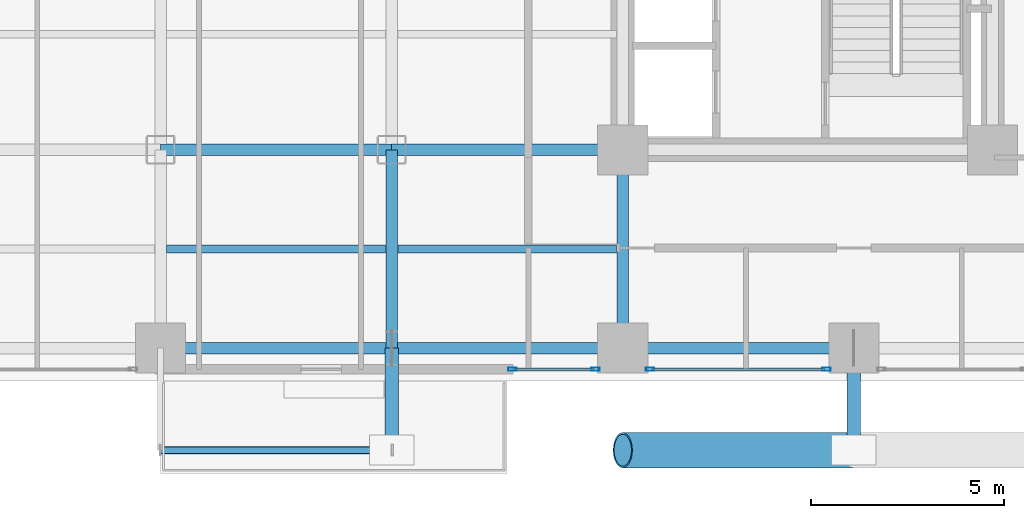
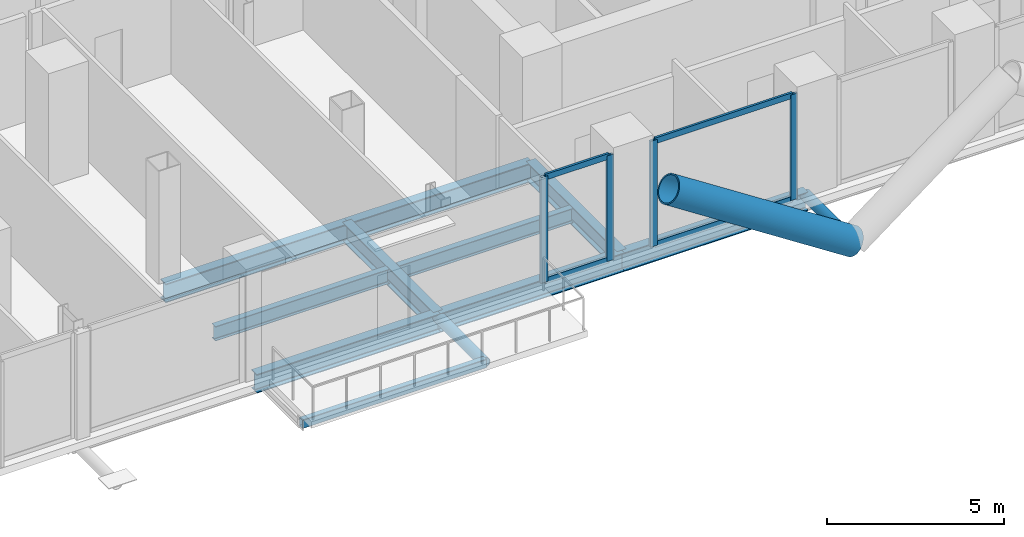
# One storey, part 3 of 25: 11 members, 10 beams, 2 elements without a shape of their own.
"""IFC4 building model written with IfcOpenShell, lengths in metres."""

from ifc_helpers import new_model, si_unit, direction, frame, origin, origin_2d, place, context, subcontext, project, spatial, hollow_rectangle, hollow_circle, i_section, extrude, material, layer, layer_set, material_profile, profile_set, type_object, element, aggregate, save


model = new_model("IFC4")

# Units and contexts
model_context = context("Model", 3, precision=1e-05, world=origin(), true_north=direction((0.0, 1.0)))
body_context = subcontext(model_context, "Body", "Model", "MODEL_VIEW")
ifc_project = project(units=[si_unit("LENGTHUNIT", "METRE"), si_unit("AREAUNIT", "SQUARE_METRE"), si_unit("VOLUMEUNIT", "CUBIC_METRE"), si_unit("PLANEANGLEUNIT", "RADIAN"), si_unit("MASSUNIT", "GRAM", prefix="KILO"), si_unit("THERMODYNAMICTEMPERATUREUNIT", "KELVIN"), si_unit("POWERUNIT", "WATT")], contexts=[model_context])

# Site, building, storey
site_placement = place(None, origin())
site = spatial("IfcSite", under=ifc_project, at=site_placement, CompositionType="ELEMENT")
building_placement = place(site_placement, origin())
building = spatial("IfcBuilding", under=site, at=building_placement, Name="Svarakhadi Broadcast Tower", CompositionType="ELEMENT")
storey_placement = place(building_placement, frame((0.0, 0.0, 48.0)))
storey = spatial("IfcBuildingStorey", under=building, at=storey_placement, Name="L10", CompositionType="ELEMENT", Elevation=48.0)

# Beams
ifc_material_1 = material(Name="Steel S355J2 (IS 2062 E350C)", Category="steel")
ifc_material_profile_1 = material_profile(ifc_material_1, i_section(OverallWidth=0.199951171875, OverallDepth=0.5, WebThickness=0.01025390625, FlangeThickness=0.01611328125, FilletRadius=0.02099609375, at=origin_2d()), Name="NPB 500x200x91")
ifc_profile_set_1 = profile_set([ifc_material_profile_1], Name="Steel S355J2 (IS 2062 E350C)")
beam_type_1 = type_object("IfcBeamType", Name="Beam_NPB500", PredefinedType="BEAM", material=ifc_profile_set_1)
for number, where, z_axis, x_axis, name in (
    (1, (12.159912109375, 3.425048828125, -0.5), (1.0, 0.0, 0.0), (0.0, 1.0, 0.0), "L10 Secondary Composite Beam SB013"),
    (2, (18.159912109375, 3.425048828125, -0.5), (1.0, 0.0, 0.0), (0.0, 1.0, 0.0), "L10 Secondary Composite Beam SB019"),
):
    element("IfcBeam", number, at=place(storey_placement, frame(where, z_axis=z_axis, x_axis=x_axis)), inside=storey, type_object=beam_type_1, Name=name, PredefinedType="BEAM", context=body_context, shape_type="SweptSolid", body=[
        extrude(i_section(OverallWidth=0.199951171875, OverallDepth=0.5, WebThickness=0.01025390625, FlangeThickness=0.01611328125, FilletRadius=0.02099609375, at=origin_2d()), origin(), (0.0, 0.0, 1.0), 5.68017578125),
    ])

# Curtain wall, members
ifc_material_2 = material(Name="Anodised Bronze Aluminium AA 6063-T6", Category="aluminium")
ifc_layer = layer(ifc_material_2, 0.219970703125)
ifc_layer_set = layer_set([ifc_layer], Name="Anodised Bronze Aluminium AA 6063-T6")
curtain_wall_type = type_object("IfcCurtainWallType", Name="CW_Sys_02", PredefinedType="NOTDEFINED", material=ifc_layer_set)
curtain_wall_1_placement = place(storey_placement, origin())
curtain_wall_1 = element("IfcCurtainWall", 3, at=curtain_wall_1_placement, inside=storey, type_object=curtain_wall_type, Name="L10 South Curtain Wall 16 Bay 5", PredefinedType="NOTDEFINED")
ifc_material_profile_2 = material_profile(ifc_material_2, hollow_rectangle(XDim=0.0849609375, YDim=0.219970703125, WallThickness=0.006103515625, at=origin_2d()), Name="ALU MULLION 220x85x6")
ifc_profile_set_2 = profile_set([ifc_material_profile_2], Name="Anodised Bronze Aluminium AA 6063-T6")
member_type_1 = type_object("IfcMemberType", Name="CW_Sys_02_Mul", PredefinedType="MULLION", material=ifc_profile_set_2)
member_1_placement = place(storey_placement, frame((29.28759765625, 0.300048828125, 0.0), z_axis=(0.0, 0.0, 1.0), x_axis=(0.0, -1.0, 0.0)))
member_1 = element("IfcMember", 4, at=member_1_placement, type_object=member_type_1, Name="CW-02 mullion 1", PredefinedType="MULLION", context=body_context, shape_type="SweptSolid", body=[
    extrude(hollow_rectangle(XDim=0.0849609375, YDim=0.219970703125, WallThickness=0.006103515625, at=origin_2d()), origin(), (0.0, 0.0, 1.0), 3.64990234375),
])
member_2_placement = place(storey_placement, frame((24.71240234375, 0.300048828125, 0.0), z_axis=(0.0, 0.0, 1.0), x_axis=(0.0, -1.0, 0.0)))
member_2 = element("IfcMember", 5, at=member_2_placement, type_object=member_type_1, Name="CW-02 mullion 2", PredefinedType="MULLION", context=body_context, shape_type="SweptSolid", body=[
    extrude(hollow_rectangle(XDim=0.0849609375, YDim=0.219970703125, WallThickness=0.006103515625, at=origin_2d()), origin(), (0.0, 0.0, 1.0), 3.64990234375),
])

curtain_wall_2_placement = place(storey_placement, origin())
curtain_wall_2 = element("IfcCurtainWall", 6, at=curtain_wall_2_placement, inside=storey, type_object=curtain_wall_type, Name="L10 South Curtain Wall 16 Bay 6", PredefinedType="NOTDEFINED")
member_3_placement = place(storey_placement, frame((23.28759765625, 0.300048828125, 0.0), z_axis=(0.0, 0.0, 1.0), x_axis=(0.0, -1.0, 0.0)))
member_3 = element("IfcMember", 7, at=member_3_placement, type_object=member_type_1, Name="CW-02 mullion 1", PredefinedType="MULLION", context=body_context, shape_type="SweptSolid", body=[
    extrude(hollow_rectangle(XDim=0.0849609375, YDim=0.219970703125, WallThickness=0.006103515625, at=origin_2d()), origin(), (0.0, 0.0, 1.0), 3.64990234375),
])
member_4_placement = place(storey_placement, frame((21.132568359375, 0.300048828125, 0.0), z_axis=(0.0, 0.0, 1.0), x_axis=(0.0, -1.0, 0.0)))
member_4 = element("IfcMember", 8, at=member_4_placement, type_object=member_type_1, Name="CW-02 mullion 2", PredefinedType="MULLION", context=body_context, shape_type="SweptSolid", body=[
    extrude(hollow_rectangle(XDim=0.0849609375, YDim=0.219970703125, WallThickness=0.006103515625, at=origin_2d()), origin(), (0.0, 0.0, 1.0), 3.64990234375),
])

# Member
ifc_material_profile_3 = material_profile(ifc_material_2, hollow_rectangle(XDim=0.074951171875, YDim=0.199951171875, WallThickness=0.0048828125, at=origin_2d()), Name="ALU TRANSOM 200x75x5")
ifc_profile_set_3 = profile_set([ifc_material_profile_3], Name="Anodised Bronze Aluminium AA 6063-T6")
member_type_2 = type_object("IfcMemberType", Name="CW_Sys_02_Trn", PredefinedType="USERDEFINED", material=ifc_profile_set_3)
member_5_placement = place(storey_placement, frame((29.2451171875, 0.300048828125, 0.03759765625), z_axis=(-1.0, 0.0, 0.0), x_axis=(0.0, -1.0, 0.0)))
member_5 = element("IfcMember", 9, at=member_5_placement, type_object=member_type_2, Name="CW-02 transom 1.1", ObjectType="TRANSOM", PredefinedType="USERDEFINED", context=body_context, shape_type="SweptSolid", body=[
    extrude(hollow_rectangle(XDim=0.074951171875, YDim=0.199951171875, WallThickness=0.0048828125, at=origin_2d()), origin(), (0.0, 0.0, 1.0), 4.490234375),
])

member_6_placement = place(storey_placement, frame((29.2451171875, 0.300048828125, 3.612548828125), z_axis=(-1.0, 0.0, 0.0), x_axis=(0.0, -1.0, 0.0)))
member_6 = element("IfcMember", 10, at=member_6_placement, type_object=member_type_2, Name="CW-02 transom 1.2", ObjectType="TRANSOM", PredefinedType="USERDEFINED", context=body_context, shape_type="SweptSolid", body=[
    extrude(hollow_rectangle(XDim=0.074951171875, YDim=0.199951171875, WallThickness=0.0048828125, at=origin_2d()), origin(), (0.0, 0.0, 1.0), 4.490234375),
])

aggregate(curtain_wall_1, [member_1, member_2, member_5, member_6])

member_7_placement = place(storey_placement, frame((23.2451171875, 0.300048828125, 0.03759765625), z_axis=(-1.0, 0.0, 0.0), x_axis=(0.0, -1.0, 0.0)))
member_7 = element("IfcMember", 11, at=member_7_placement, type_object=member_type_2, Name="CW-02 transom 1.1", ObjectType="TRANSOM", PredefinedType="USERDEFINED", context=body_context, shape_type="SweptSolid", body=[
    extrude(hollow_rectangle(XDim=0.074951171875, YDim=0.199951171875, WallThickness=0.0048828125, at=origin_2d()), origin(), (0.0, 0.0, 1.0), 2.070068359375),
])

member_8_placement = place(storey_placement, frame((23.2451171875, 0.300048828125, 3.612548828125), z_axis=(-1.0, 0.0, 0.0), x_axis=(0.0, -1.0, 0.0)))
member_8 = element("IfcMember", 12, at=member_8_placement, type_object=member_type_2, Name="CW-02 transom 1.2", ObjectType="TRANSOM", PredefinedType="USERDEFINED", context=body_context, shape_type="SweptSolid", body=[
    extrude(hollow_rectangle(XDim=0.074951171875, YDim=0.199951171875, WallThickness=0.0048828125, at=origin_2d()), origin(), (0.0, 0.0, 1.0), 2.070068359375),
])

aggregate(curtain_wall_2, [member_3, member_4, member_7, member_8])

# Members
ifc_material_3 = material(Name="Steel S460ML (IS 2062 E450BR)", Category="steel")
ifc_material_profile_4 = material_profile(ifc_material_3, hollow_circle(Radius=0.45703125, WallThickness=0.044921875, at=origin_2d()), Name="CHS 914x45")
ifc_profile_set_4 = profile_set([ifc_material_profile_4], Name="Steel S460ML (IS 2062 E450BR)")
member_type_3 = type_object("IfcMemberType", Name="Exo_Brace_CHS914", PredefinedType="BRACE", material=ifc_profile_set_4)
member_9_placement = place(storey_placement, frame((30.0, -1.800048828125, -0.427734375), z_axis=(-0.838449851971, 0.0, 0.544978757136), x_axis=(0.0, -1.0, 0.0)))
element("IfcMember", 13, at=member_9_placement, inside=storey, type_object=member_type_3, Name="L10 Exposed Bronze Exoskeleton Diagonal S01", PredefinedType="BRACE", context=body_context, shape_type="SweptSolid", body=[
    extrude(hollow_circle(Radius=0.45703125, WallThickness=0.044921875, at=origin_2d()), origin(), (0.0, 0.0, 1.0), 7.156005859375),
])
ifc_material_profile_5 = material_profile(ifc_material_3, hollow_circle(Radius=0.177734375, WallThickness=0.02001953125, at=origin_2d()), Name="CHS 355.6x20")
ifc_profile_set_5 = profile_set([ifc_material_profile_5], Name="Steel S460ML (IS 2062 E450BR)")
member_type_4 = type_object("IfcMemberType", Name="Exo_Radial_Strut_Z1", PredefinedType="STRUT", material=ifc_profile_set_5)
for number, where, z_axis, x_axis, name in (
    (14, (18.0, -1.800048828125, -0.427734375), (0.0, 1.0, 0.0), (-1.0, 0.0, 0.0), "L10 Exoskeleton Radial Tie Strut S02"),
    (15, (30.0, -1.800048828125, -0.427734375), (0.0, 1.0, 0.0), (-1.0, 0.0, 0.0), "L10 Exoskeleton Radial Tie Strut S03"),
):
    element("IfcMember", number, at=place(storey_placement, frame(where, z_axis=z_axis, x_axis=x_axis)), inside=storey, type_object=member_type_4, Name=name, PredefinedType="STRUT", context=body_context, shape_type="SweptSolid", body=[
        extrude(hollow_circle(Radius=0.177734375, WallThickness=0.02001953125, at=origin_2d()), origin(), (0.0, 0.0, 1.0), 2.650146484375),
    ])

# Beams
ifc_material_profile_6 = material_profile(ifc_material_1, i_section(OverallWidth=0.300048828125, OverallDepth=0.64990234375, WebThickness=0.01611328125, FlangeThickness=0.031005859375, FilletRadius=0.027099609375, at=origin_2d()), Name="WPB 650x300x225")
ifc_profile_set_6 = profile_set([ifc_material_profile_6], Name="Steel S355J2 (IS 2062 E350C)")
beam_type_2 = type_object("IfcBeamType", Name="Girder_WPB650", PredefinedType="USERDEFINED", material=ifc_profile_set_6)
for number, where, z_axis, x_axis, name in (
    (16, (12.0, 0.85009765625, -0.574951171875), (1.0, 0.0, 0.0), (0.0, 1.0, 0.0), "L10 Primary E-W Girder G005"),
    (17, (18.0, 0.85009765625, -0.574951171875), (1.0, 0.0, 0.0), (0.0, 1.0, 0.0), "L10 Primary E-W Girder G006"),
    (18, (24.0, 0.85009765625, -0.574951171875), (1.0, 0.0, 0.0), (0.0, 1.0, 0.0), "L10 Primary E-W Girder G007"),
    (19, (12.0, 6.0, -0.574951171875), (1.0, 0.0, 0.0), (0.0, 1.0, 0.0), "L10 Primary E-W Girder G013"),
    (20, (18.0, 6.0, -0.574951171875), (1.0, 0.0, 0.0), (0.0, 1.0, 0.0), "L10 Primary E-W Girder G014"),
):
    element("IfcBeam", number, at=place(storey_placement, frame(where, z_axis=z_axis, x_axis=x_axis)), inside=storey, type_object=beam_type_2, Name=name, ObjectType="GIRDER", PredefinedType="USERDEFINED", context=body_context, shape_type="SweptSolid", body=[
        extrude(i_section(OverallWidth=0.300048828125, OverallDepth=0.64990234375, WebThickness=0.01611328125, FlangeThickness=0.031005859375, FilletRadius=0.027099609375, at=origin_2d()), origin(), (0.0, 0.0, 1.0), 6.0),
    ])
for number, where, z_axis, x_axis, name in (
    (21, (18.0, 0.85009765625, -0.574951171875), (0.0, 1.0, 0.0), (-1.0, 0.0, 0.0), "L10 Primary N-S Girder G064"),
    (22, (24.0, 0.85009765625, -0.574951171875), (0.0, 1.0, 0.0), (-1.0, 0.0, 0.0), "L10 Primary N-S Girder G071"),
):
    element("IfcBeam", number, at=place(storey_placement, frame(where, z_axis=z_axis, x_axis=x_axis)), inside=storey, type_object=beam_type_2, Name=name, ObjectType="GIRDER", PredefinedType="USERDEFINED", context=body_context, shape_type="SweptSolid", body=[
        extrude(i_section(OverallWidth=0.300048828125, OverallDepth=0.64990234375, WebThickness=0.01611328125, FlangeThickness=0.031005859375, FilletRadius=0.027099609375, at=origin_2d()), origin(), (0.0, 0.0, 1.0), 5.14990234375),
    ])
ifc_material_profile_7 = material_profile(ifc_material_3, hollow_rectangle(XDim=0.199951171875, YDim=0.300048828125, WallThickness=0.012451171875, InnerFilletRadius=0.012451171875, OuterFilletRadius=0.02490234375, at=origin_2d()), Name="RHS 300x200x12.5")
ifc_profile_set_7 = profile_set([ifc_material_profile_7], Name="Steel S460ML (IS 2062 E450BR)")
beam_type_3 = type_object("IfcBeamType", Name="Spandrel_RHS300", PredefinedType="SPANDREL", material=ifc_profile_set_7)
beam_placement = place(storey_placement, frame((12.0, -1.800048828125, -0.39990234375), z_axis=(1.0, 0.0, 0.0), x_axis=(0.0, 1.0, 0.0)))
element("IfcBeam", 23, at=beam_placement, inside=storey, type_object=beam_type_3, Name="L10 Balcony Outer Spandrel 1F", PredefinedType="SPANDREL", context=body_context, shape_type="SweptSolid", body=[
    extrude(hollow_rectangle(XDim=0.199951171875, YDim=0.300048828125, WallThickness=0.012451171875, InnerFilletRadius=0.012451171875, OuterFilletRadius=0.02490234375, at=origin_2d()), origin(), (0.0, 0.0, 1.0), 6.0),
])

save(model, "model.ifc")
